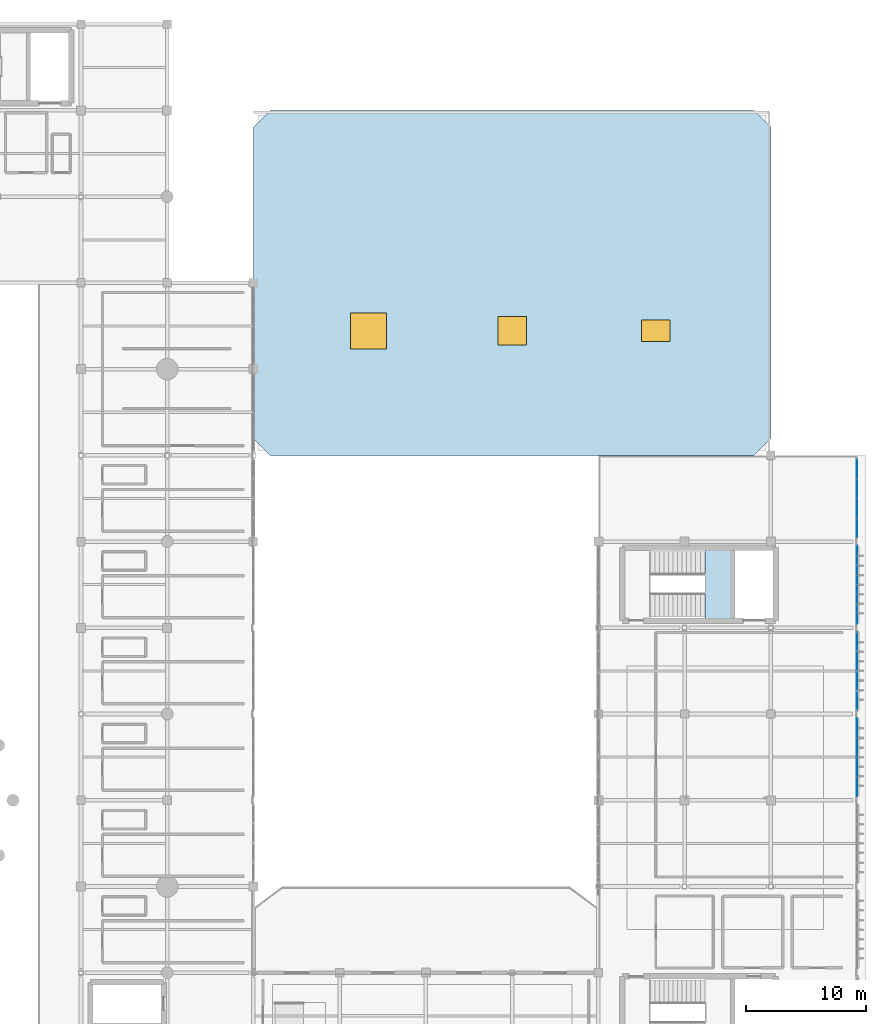
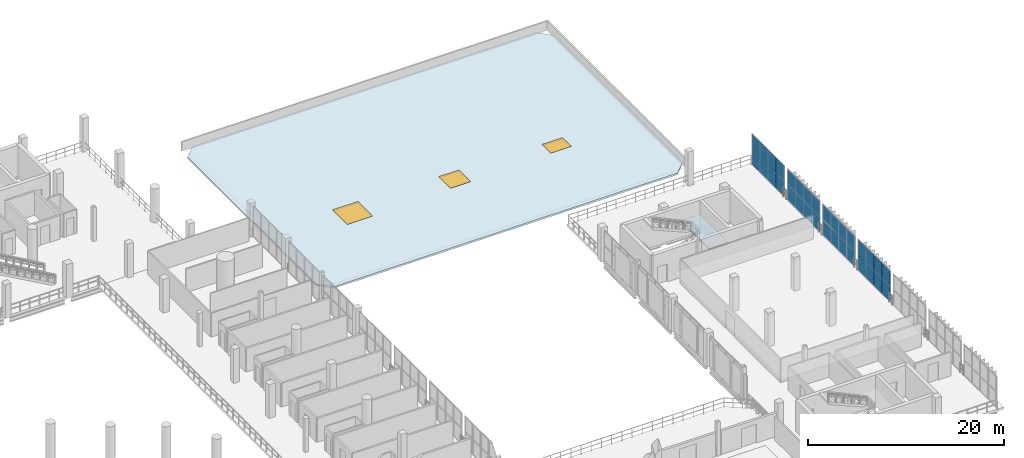
# One storey, part 97 of 130: 32 plates, 3 windows, 2 slabs, 3 openings, 5 elements without a shape of their own.
"""IFC4 building model written with IfcOpenShell, lengths in metres."""

import ifcopenshell
import ifcopenshell.guid

model = None  # the IFC model being written
_history = None  # IfcOwnerHistory: only IFC2X3 demands one
_inside = {}  # id of a spatial element -> (the spatial element, [elements in it])
_under = {}  # id of a project, library or spatial element -> (it, [spatial elements below it])
_declared = {}  # id of a project -> (the project, [libraries it declares])
_typed = {}  # id of a type object -> (the type object, [elements of that type])
_made_of = {}  # id of a material, layer set ... -> (it, [elements and type objects made of it])


def new_model(schema):
    """Start an empty IFC model of exactly this schema.

    Asked for "IFC4X3", IfcOpenShell would pick the latest addendum, in which some entities
    have other attributes; the version numbers below select the first issue.
    IFC2X3 requires an IfcOwnerHistory on every rooted entity: one is made here for all.
    """
    global model, _history
    if schema == "IFC4X3":
        model = ifcopenshell.file(schema_version=(4, 3, 0, 0))
    else:
        model = ifcopenshell.file(schema=schema)
    _inside.clear()
    _under.clear()
    _declared.clear()
    _typed.clear()
    _made_of.clear()
    _history = None
    if model.schema == "IFC2X3":
        org = make("IfcOrganization", Name="unknown")
        user = make(
            "IfcPersonAndOrganization",
            ThePerson=make("IfcPerson", FamilyName="unknown"),
            TheOrganization=org,
        )
        app = make(
            "IfcApplication",
            ApplicationDeveloper=org,
            Version="unknown",
            ApplicationFullName="unknown",
            ApplicationIdentifier="unknown",
        )
        _history = make(
            "IfcOwnerHistory",
            OwningUser=user,
            OwningApplication=app,
            ChangeAction="ADDED",
            CreationDate=0,
        )
    return model


def make(cls, **values):
    """One entity of the class cls with the attributes given. An attribute that is None is left unset."""
    return model.create_entity(
        cls, **{name: value for name, value in values.items() if value is not None}
    )


def rooted(cls, **values):
    """An entity with a GlobalId (a new one), such as an element, a storey or a relation."""
    return make(cls, GlobalId=ifcopenshell.guid.new(), OwnerHistory=_history, **values)


def si_unit(unit_type, name, prefix=None):
    """IfcSIUnit, for example si_unit("LENGTHUNIT", "METRE", prefix="MILLI")."""
    return make("IfcSIUnit", UnitType=unit_type, Prefix=prefix, Name=name)


def assignment(units):
    """IfcUnitAssignment: the units of a project."""
    return None if units is None else make("IfcUnitAssignment", Units=units)


def point(xyz):
    """IfcCartesianPoint."""
    return None if xyz is None else make("IfcCartesianPoint", Coordinates=xyz)


def direction(xyz):
    """IfcDirection."""
    return None if xyz is None else make("IfcDirection", DirectionRatios=xyz)


def frame(location, z_axis=None, x_axis=None):
    """IfcAxis2Placement3D, a coordinate frame: its origin and axes. An axis left out is left unset."""
    return make(
        "IfcAxis2Placement3D",
        Location=point(location),
        Axis=direction(z_axis),
        RefDirection=direction(x_axis),
    )


def frame_2d(location, x_axis=None):
    """IfcAxis2Placement2D, a coordinate frame in the plane: its origin and x axis."""
    return make(
        "IfcAxis2Placement2D", Location=point(location), RefDirection=direction(x_axis)
    )


def origin():
    """The frame at (0, 0, 0) with its axes left unset."""
    return frame((0.0, 0.0, 0.0))


def origin_2d():
    """The frame at (0, 0) in the plane with its x axis left unset."""
    return frame_2d((0.0, 0.0))


def place(relative_to, where):
    """IfcLocalPlacement: puts the frame where relative to a parent placement (None: the world)."""
    return make(
        "IfcLocalPlacement", PlacementRelTo=relative_to, RelativePlacement=where
    )


def context(
    kind, dimensions, precision=None, world=None, true_north=None, identifier=None
):
    """IfcGeometricRepresentationContext, for example the 3D "Model" context."""
    return make(
        "IfcGeometricRepresentationContext",
        ContextIdentifier=identifier,
        ContextType=kind,
        CoordinateSpaceDimension=dimensions,
        Precision=precision,
        WorldCoordinateSystem=world,
        TrueNorth=true_north,
    )


def subcontext(parent, identifier, kind, view, scale=None):
    """IfcGeometricRepresentationSubContext, for example "Body" below "Model"."""
    return make(
        "IfcGeometricRepresentationSubContext",
        ContextIdentifier=identifier,
        ContextType=kind,
        ParentContext=parent,
        TargetScale=scale,
        TargetView=view,
    )


def project(units=None, contexts=None):
    """IfcProject with its units and contexts."""
    return rooted(
        "IfcProject",
        Name="project",
        RepresentationContexts=contexts,
        UnitsInContext=assignment(units),
    )


def spatial(cls, under=None, at=None, **own):
    """A site, building, storey or space (cls), placed at a placement, below another one or the project."""
    s = rooted(cls, ObjectPlacement=at, **own)
    if under is not None:
        _under.setdefault(under.id(), (under, []))[1].append(s)
    return s


def polyline(points):
    """IfcPolyline through the points."""
    return make("IfcPolyline", Points=[point(p) for p in points])


def profile(cls, at=None, kind="AREA", **sizes):
    """A parametric profile (cls). Its sizes go by their IFC names, for example OverallWidth=200.0."""
    return make(cls, ProfileType=kind, Position=at, **sizes)


def rectangle(**sizes):
    """IfcRectangleProfileDef."""
    return profile("IfcRectangleProfileDef", **sizes)


def outline(outer, holes=None, kind="AREA"):
    """IfcArbitraryClosedProfileDef: a profile drawn as a closed curve; with holes, ...WithVoids."""
    if holes is None:
        return make("IfcArbitraryClosedProfileDef", ProfileType=kind, OuterCurve=outer)
    return make(
        "IfcArbitraryProfileDefWithVoids",
        ProfileType=kind,
        OuterCurve=outer,
        InnerCurves=holes,
    )


def extrude(swept, where, along, depth):
    """IfcExtrudedAreaSolid: the profile swept, set in the frame where, extruded along a direction by depth."""
    return make(
        "IfcExtrudedAreaSolid",
        SweptArea=swept,
        Position=where,
        ExtrudedDirection=direction(along),
        Depth=depth,
    )


def shape(context_of_items, identifier, shape_type, items):
    """IfcShapeRepresentation: the items that make up one representation, for example the "Body"."""
    return make(
        "IfcShapeRepresentation",
        ContextOfItems=context_of_items,
        RepresentationIdentifier=identifier,
        RepresentationType=shape_type,
        Items=items,
    )


def material(Name=None, Category=None):
    """IfcMaterial."""
    return make("IfcMaterial", Name=Name, Category=Category)


def layer(
    of_material, thickness, ventilated=None, Name=None, Category=None, Priority=None
):
    """IfcMaterialLayer: one layer of a wall or slab, of a material (None: an air gap)."""
    return make(
        "IfcMaterialLayer",
        Material=of_material,
        LayerThickness=thickness,
        IsVentilated=ventilated,
        Name=Name,
        Category=Category,
        Priority=Priority,
    )


def layer_set(layers, Name=None):
    """IfcMaterialLayerSet."""
    return make("IfcMaterialLayerSet", MaterialLayers=layers, LayerSetName=Name)


def made_of(thing, what):
    """Note that an element or type object is made of a material, layer set ...; save() writes the relation."""
    if what is not None:
        _made_of.setdefault(what.id(), (what, []))[1].append(thing)
    return thing


def type_object(cls, material=None, **own):
    """A type object (cls), such as IfcWallType, which elements share."""
    return made_of(rooted(cls, **own), material)


def element(
    cls,
    number,
    at=None,
    inside=None,
    cuts=None,
    type_object=None,
    material=None,
    context=None,
    identifier="Body",
    shape_type=None,
    held_by="IfcProductDefinitionShape",
    body=None,
    shapes=None,
    **own,
):
    """One element of the class cls, such as IfcWall. Its Tag is "e" and its number.

    at: its placement. inside: the storey or other place that contains it. cuts: it is an
    opening in that element (IfcRelVoidsElement). A single representation is given by context,
    identifier, shape_type and body (its items); several are given by shapes. held_by: the class
    of the entity that holds the representations. save() writes the other relations.
    """
    e = rooted(cls, Tag="e%d" % number, ObjectPlacement=at, **own)
    if body is not None:
        shapes = [shape(context, identifier, shape_type, body)]
    if shapes is not None:
        e.Representation = make(held_by, Representations=shapes)
    if inside is not None:
        _inside.setdefault(inside.id(), (inside, []))[1].append(e)
    if cuts is not None:
        rooted(
            "IfcRelVoidsElement", RelatingBuildingElement=cuts, RelatedOpeningElement=e
        )
    if type_object is not None:
        _typed.setdefault(type_object.id(), (type_object, []))[1].append(e)
    return made_of(e, material)


def fill(opening, filler):
    """IfcRelFillsElement: the door or window that sits in an opening."""
    return rooted(
        "IfcRelFillsElement",
        RelatingOpeningElement=opening,
        RelatedBuildingElement=filler,
    )


def aggregate(whole, parts):
    """IfcRelAggregates: a whole, such as a stair, and the parts it consists of."""
    return rooted("IfcRelAggregates", RelatingObject=whole, RelatedObjects=parts)


def save(model, path):
    """Write the relations noted so far, then the file.

    IfcRelAggregates (storeys below a building ...), IfcRelContainedInSpatialStructure (elements
    in a storey), IfcRelDefinesByType, IfcRelAssociatesMaterial and IfcRelDeclares: one each for
    every whole, place, type object, material and project.
    """
    for whole, parts in _under.values():
        aggregate(whole, parts)
    for where, things in _inside.values():
        rooted(
            "IfcRelContainedInSpatialStructure",
            RelatedElements=things,
            RelatingStructure=where,
        )
    for kind, things in _typed.values():
        rooted("IfcRelDefinesByType", RelatedObjects=things, RelatingType=kind)
    for what, things in _made_of.values():
        rooted("IfcRelAssociatesMaterial", RelatedObjects=things, RelatingMaterial=what)
    for by, libraries in _declared.values():
        rooted("IfcRelDeclares", RelatingContext=by, RelatedDefinitions=libraries)
    model.write(path)


model = new_model("IFC4")

# Units and contexts
model_context = context("Model", 3, precision=1e-05, world=origin(), true_north=direction((0.0, 1.0)))
body_context = subcontext(model_context, "Body", "Model", "MODEL_VIEW")
ifc_project = project(units=[si_unit("LENGTHUNIT", "METRE"), si_unit("AREAUNIT", "SQUARE_METRE"), si_unit("VOLUMEUNIT", "CUBIC_METRE"), si_unit("PLANEANGLEUNIT", "RADIAN"), si_unit("MASSUNIT", "GRAM", prefix="KILO")], contexts=[model_context])

# Site, building, storey
site_placement = place(None, origin())
site = spatial("IfcSite", under=ifc_project, at=site_placement, CompositionType="ELEMENT")
building_placement = place(site_placement, origin())
building = spatial("IfcBuilding", under=site, at=building_placement, Name="Qandorah Velis Arena", CompositionType="ELEMENT")
storey_placement = place(building_placement, frame((0.0, 0.0, 9.60009765625)))
storey = spatial("IfcBuildingStorey", under=building, at=storey_placement, Name="L02", CompositionType="ELEMENT", Elevation=9.60009765625)

# Curtain wall, plates
ifc_material_1 = material(Name="Solar-control low-E double glazing", Category="glass")
curtain_wall_type_1 = type_object("IfcCurtainWallType", Name="ARC-CW-SYS05", PredefinedType="USERDEFINED", material=ifc_material_1)
curtain_wall_1_placement = place(storey_placement, origin())
curtain_wall_1 = element("IfcCurtainWall", 1, at=curtain_wall_1_placement, inside=storey, type_object=curtain_wall_type_1, Name="Unitised curtain wall L02-149", ObjectType="UNITISED CURTAIN WALL", PredefinedType="USERDEFINED")
ifc_layer_1 = layer(ifc_material_1, 0.02392578125)
ifc_layer_set_1 = layer_set([ifc_layer_1], Name="Solar-control low-E double glazing")
plate_type_1 = type_object("IfcPlateType", Name="ARC-CWP-GLZ24", PredefinedType="CURTAIN_PANEL", material=ifc_layer_set_1)
plate_1_placement = place(storey_placement, frame((172.800048828125, 73.143798828125, 0.06494140625), z_axis=(0.0, 0.0, 1.0), x_axis=(0.0, 1.0, 0.0)))
plate_1 = element("IfcPlate", 2, at=plate_1_placement, type_object=plate_type_1, Name="CW05 panel 1.1", PredefinedType="CURTAIN_PANEL", context=body_context, shape_type="SweptSolid", body=[
    extrude(rectangle(XDim=1.5576171875, YDim=0.02392578125, at=origin_2d()), origin(), (0.0, 0.0, 1.0), 1.847412109375),
])
plate_2_placement = place(storey_placement, frame((172.800048828125, 73.143798828125, 1.96728515625), z_axis=(0.0, 0.0, 1.0), x_axis=(0.0, 1.0, 0.0)))
plate_2 = element("IfcPlate", 3, at=plate_2_placement, type_object=plate_type_1, Name="CW05 panel 1.2", PredefinedType="CURTAIN_PANEL", context=body_context, shape_type="SweptSolid", body=[
    extrude(rectangle(XDim=1.5576171875, YDim=0.02392578125, at=origin_2d()), origin(), (0.0, 0.0, 1.0), 1.847412109375),
])
plate_3_placement = place(storey_placement, frame((172.800048828125, 74.77490234375, 0.06494140625), z_axis=(0.0, 0.0, 1.0), x_axis=(0.0, 1.0, 0.0)))
plate_3 = element("IfcPlate", 4, at=plate_3_placement, type_object=plate_type_1, Name="CW05 panel 2.1", PredefinedType="CURTAIN_PANEL", context=body_context, shape_type="SweptSolid", body=[
    extrude(rectangle(XDim=1.594970703125, YDim=0.02392578125, at=origin_2d()), origin(), (0.0, 0.0, 1.0), 1.847412109375),
])
plate_4_placement = place(storey_placement, frame((172.800048828125, 74.77490234375, 1.96728515625), z_axis=(0.0, 0.0, 1.0), x_axis=(0.0, 1.0, 0.0)))
plate_4 = element("IfcPlate", 5, at=plate_4_placement, type_object=plate_type_1, Name="CW05 panel 2.2", PredefinedType="CURTAIN_PANEL", context=body_context, shape_type="SweptSolid", body=[
    extrude(rectangle(XDim=1.594970703125, YDim=0.02392578125, at=origin_2d()), origin(), (0.0, 0.0, 1.0), 1.847412109375),
])
plate_5_placement = place(storey_placement, frame((172.800048828125, 76.425048828125, 0.06494140625), z_axis=(0.0, 0.0, 1.0), x_axis=(0.0, 1.0, 0.0)))
plate_5 = element("IfcPlate", 6, at=plate_5_placement, type_object=plate_type_1, Name="CW05 panel 3.1", PredefinedType="CURTAIN_PANEL", context=body_context, shape_type="SweptSolid", body=[
    extrude(rectangle(XDim=1.594970703125, YDim=0.02392578125, at=origin_2d()), origin(), (0.0, 0.0, 1.0), 1.847412109375),
])
plate_6_placement = place(storey_placement, frame((172.800048828125, 76.425048828125, 1.96728515625), z_axis=(0.0, 0.0, 1.0), x_axis=(0.0, 1.0, 0.0)))
plate_6 = element("IfcPlate", 7, at=plate_6_placement, type_object=plate_type_1, Name="CW05 panel 3.2", PredefinedType="CURTAIN_PANEL", context=body_context, shape_type="SweptSolid", body=[
    extrude(rectangle(XDim=1.594970703125, YDim=0.02392578125, at=origin_2d()), origin(), (0.0, 0.0, 1.0), 1.847412109375),
])
plate_7_placement = place(storey_placement, frame((172.800048828125, 78.05615234375, 0.06494140625), z_axis=(0.0, 0.0, 1.0), x_axis=(0.0, 1.0, 0.0)))
plate_7 = element("IfcPlate", 8, at=plate_7_placement, type_object=plate_type_1, Name="CW05 panel 4.1", PredefinedType="CURTAIN_PANEL", context=body_context, shape_type="SweptSolid", body=[
    extrude(rectangle(XDim=1.5576171875, YDim=0.02392578125, at=origin_2d()), origin(), (0.0, 0.0, 1.0), 1.847412109375),
])
plate_8_placement = place(storey_placement, frame((172.800048828125, 78.05615234375, 1.96728515625), z_axis=(0.0, 0.0, 1.0), x_axis=(0.0, 1.0, 0.0)))
plate_8 = element("IfcPlate", 9, at=plate_8_placement, type_object=plate_type_1, Name="CW05 panel 4.2", PredefinedType="CURTAIN_PANEL", context=body_context, shape_type="SweptSolid", body=[
    extrude(rectangle(XDim=1.5576171875, YDim=0.02392578125, at=origin_2d()), origin(), (0.0, 0.0, 1.0), 1.847412109375),
])
aggregate(curtain_wall_1, [plate_1, plate_2, plate_3, plate_4, plate_5, plate_6, plate_7, plate_8])

curtain_wall_type_2 = type_object("IfcCurtainWallType", Name="ARC-CW-SYS04", PredefinedType="USERDEFINED", material=ifc_material_1)
curtain_wall_2_placement = place(storey_placement, origin())
curtain_wall_2 = element("IfcCurtainWall", 10, at=curtain_wall_2_placement, inside=storey, type_object=curtain_wall_type_2, Name="Unitised curtain wall L02-148", ObjectType="UNITISED CURTAIN WALL", PredefinedType="USERDEFINED")
ifc_layer_2 = layer(ifc_material_1, 0.028076171875)
ifc_layer_set_2 = layer_set([ifc_layer_2], Name="Solar-control low-E double glazing")
plate_type_2 = type_object("IfcPlateType", Name="ARC-CWP-GLZ28", PredefinedType="CURTAIN_PANEL", material=ifc_layer_set_2)
plate_9_placement = place(storey_placement, frame((172.800048828125, 65.938720703125, 0.044921875), z_axis=(0.0, 0.0, 1.0), x_axis=(0.0, 1.0, 0.0)))
plate_9 = element("IfcPlate", 11, at=plate_9_placement, type_object=plate_type_2, Name="CW04 panel 1.1", PredefinedType="CURTAIN_PANEL", context=body_context, shape_type="SweptSolid", body=[
    extrude(rectangle(XDim=1.58740234375, YDim=0.028076171875, at=origin_2d()), origin(), (0.0, 0.0, 1.0), 1.87744140625),
])
plate_10_placement = place(storey_placement, frame((172.800048828125, 65.938720703125, 1.95751953125), z_axis=(0.0, 0.0, 1.0), x_axis=(0.0, 1.0, 0.0)))
plate_10 = element("IfcPlate", 12, at=plate_10_placement, type_object=plate_type_2, Name="CW04 panel 1.2", PredefinedType="CURTAIN_PANEL", context=body_context, shape_type="SweptSolid", body=[
    extrude(rectangle(XDim=1.58740234375, YDim=0.028076171875, at=origin_2d()), origin(), (0.0, 0.0, 1.0), 1.87744140625),
])
plate_11_placement = place(storey_placement, frame((172.800048828125, 67.574951171875, 0.044921875), z_axis=(0.0, 0.0, 1.0), x_axis=(0.0, 1.0, 0.0)))
plate_11 = element("IfcPlate", 13, at=plate_11_placement, type_object=plate_type_2, Name="CW04 panel 2.1", PredefinedType="CURTAIN_PANEL", context=body_context, shape_type="SweptSolid", body=[
    extrude(rectangle(XDim=1.614990234375, YDim=0.028076171875, at=origin_2d()), origin(), (0.0, 0.0, 1.0), 1.87744140625),
])
plate_12_placement = place(storey_placement, frame((172.800048828125, 67.574951171875, 1.95751953125), z_axis=(0.0, 0.0, 1.0), x_axis=(0.0, 1.0, 0.0)))
plate_12 = element("IfcPlate", 14, at=plate_12_placement, type_object=plate_type_2, Name="CW04 panel 2.2", PredefinedType="CURTAIN_PANEL", context=body_context, shape_type="SweptSolid", body=[
    extrude(rectangle(XDim=1.614990234375, YDim=0.028076171875, at=origin_2d()), origin(), (0.0, 0.0, 1.0), 1.87744140625),
])
plate_13_placement = place(storey_placement, frame((172.800048828125, 69.22509765625, 0.044921875), z_axis=(0.0, 0.0, 1.0), x_axis=(0.0, 1.0, 0.0)))
plate_13 = element("IfcPlate", 15, at=plate_13_placement, type_object=plate_type_2, Name="CW04 panel 3.1", PredefinedType="CURTAIN_PANEL", context=body_context, shape_type="SweptSolid", body=[
    extrude(rectangle(XDim=1.614990234375, YDim=0.028076171875, at=origin_2d()), origin(), (0.0, 0.0, 1.0), 1.87744140625),
])
plate_14_placement = place(storey_placement, frame((172.800048828125, 69.22509765625, 1.95751953125), z_axis=(0.0, 0.0, 1.0), x_axis=(0.0, 1.0, 0.0)))
plate_14 = element("IfcPlate", 16, at=plate_14_placement, type_object=plate_type_2, Name="CW04 panel 3.2", PredefinedType="CURTAIN_PANEL", context=body_context, shape_type="SweptSolid", body=[
    extrude(rectangle(XDim=1.614990234375, YDim=0.028076171875, at=origin_2d()), origin(), (0.0, 0.0, 1.0), 1.87744140625),
])
plate_15_placement = place(storey_placement, frame((172.800048828125, 70.861328125, 0.044921875), z_axis=(0.0, 0.0, 1.0), x_axis=(0.0, 1.0, 0.0)))
plate_15 = element("IfcPlate", 17, at=plate_15_placement, type_object=plate_type_2, Name="CW04 panel 4.1", PredefinedType="CURTAIN_PANEL", context=body_context, shape_type="SweptSolid", body=[
    extrude(rectangle(XDim=1.58740234375, YDim=0.028076171875, at=origin_2d()), origin(), (0.0, 0.0, 1.0), 1.87744140625),
])
plate_16_placement = place(storey_placement, frame((172.800048828125, 70.861328125, 1.95751953125), z_axis=(0.0, 0.0, 1.0), x_axis=(0.0, 1.0, 0.0)))
plate_16 = element("IfcPlate", 18, at=plate_16_placement, type_object=plate_type_2, Name="CW04 panel 4.2", PredefinedType="CURTAIN_PANEL", context=body_context, shape_type="SweptSolid", body=[
    extrude(rectangle(XDim=1.58740234375, YDim=0.028076171875, at=origin_2d()), origin(), (0.0, 0.0, 1.0), 1.87744140625),
])
aggregate(curtain_wall_2, [plate_9, plate_10, plate_11, plate_12, plate_13, plate_14, plate_15, plate_16])

curtain_wall_type_3 = type_object("IfcCurtainWallType", Name="ARC-CW-SYS07", PredefinedType="USERDEFINED", material=ifc_material_1)
curtain_wall_3_placement = place(storey_placement, origin())
curtain_wall_3 = element("IfcCurtainWall", 19, at=curtain_wall_3_placement, inside=storey, type_object=curtain_wall_type_3, Name="Unitised curtain wall L02-151", ObjectType="UNITISED CURTAIN WALL", PredefinedType="USERDEFINED")
ifc_layer_3 = layer(ifc_material_1, 0.035888671875)
ifc_layer_set_3 = layer_set([ifc_layer_3], Name="Solar-control low-E double glazing")
plate_type_3 = type_object("IfcPlateType", Name="ARC-CWP-GLZ36", PredefinedType="CURTAIN_PANEL", material=ifc_layer_set_3)
plate_17_placement = place(storey_placement, frame((172.800048828125, 87.5400390625, 0.0498046875), z_axis=(0.0, 0.0, 1.0), x_axis=(0.0, 1.0, 0.0)))
plate_17 = element("IfcPlate", 20, at=plate_17_placement, type_object=plate_type_3, Name="CW07 panel 1.1", PredefinedType="CURTAIN_PANEL", context=body_context, shape_type="SweptSolid", body=[
    extrude(rectangle(XDim=1.580078125, YDim=0.035888671875, at=origin_2d()), origin(), (0.0, 0.0, 1.0), 1.8701171875),
])
plate_18_placement = place(storey_placement, frame((172.800048828125, 87.5400390625, 1.9599609375), z_axis=(0.0, 0.0, 1.0), x_axis=(0.0, 1.0, 0.0)))
plate_18 = element("IfcPlate", 21, at=plate_18_placement, type_object=plate_type_3, Name="CW07 panel 1.2", PredefinedType="CURTAIN_PANEL", context=body_context, shape_type="SweptSolid", body=[
    extrude(rectangle(XDim=1.580078125, YDim=0.035888671875, at=origin_2d()), origin(), (0.0, 0.0, 1.0), 1.8701171875),
])
plate_19_placement = place(storey_placement, frame((172.800048828125, 89.175048828125, 0.0498046875), z_axis=(0.0, 0.0, 1.0), x_axis=(0.0, 1.0, 0.0)))
plate_19 = element("IfcPlate", 22, at=plate_19_placement, type_object=plate_type_3, Name="CW07 panel 2.1", PredefinedType="CURTAIN_PANEL", context=body_context, shape_type="SweptSolid", body=[
    extrude(rectangle(XDim=1.610107421875, YDim=0.035888671875, at=origin_2d()), origin(), (0.0, 0.0, 1.0), 1.8701171875),
])
plate_20_placement = place(storey_placement, frame((172.800048828125, 89.175048828125, 1.9599609375), z_axis=(0.0, 0.0, 1.0), x_axis=(0.0, 1.0, 0.0)))
plate_20 = element("IfcPlate", 23, at=plate_20_placement, type_object=plate_type_3, Name="CW07 panel 2.2", PredefinedType="CURTAIN_PANEL", context=body_context, shape_type="SweptSolid", body=[
    extrude(rectangle(XDim=1.610107421875, YDim=0.035888671875, at=origin_2d()), origin(), (0.0, 0.0, 1.0), 1.8701171875),
])
plate_21_placement = place(storey_placement, frame((172.800048828125, 90.824951171875, 0.0498046875), z_axis=(0.0, 0.0, 1.0), x_axis=(0.0, 1.0, 0.0)))
plate_21 = element("IfcPlate", 24, at=plate_21_placement, type_object=plate_type_3, Name="CW07 panel 3.1", PredefinedType="CURTAIN_PANEL", context=body_context, shape_type="SweptSolid", body=[
    extrude(rectangle(XDim=1.610107421875, YDim=0.035888671875, at=origin_2d()), origin(), (0.0, 0.0, 1.0), 1.8701171875),
])
plate_22_placement = place(storey_placement, frame((172.800048828125, 90.824951171875, 1.9599609375), z_axis=(0.0, 0.0, 1.0), x_axis=(0.0, 1.0, 0.0)))
plate_22 = element("IfcPlate", 25, at=plate_22_placement, type_object=plate_type_3, Name="CW07 panel 3.2", PredefinedType="CURTAIN_PANEL", context=body_context, shape_type="SweptSolid", body=[
    extrude(rectangle(XDim=1.610107421875, YDim=0.035888671875, at=origin_2d()), origin(), (0.0, 0.0, 1.0), 1.8701171875),
])
plate_23_placement = place(storey_placement, frame((172.800048828125, 92.4599609375, 0.0498046875), z_axis=(0.0, 0.0, 1.0), x_axis=(0.0, 1.0, 0.0)))
plate_23 = element("IfcPlate", 26, at=plate_23_placement, type_object=plate_type_3, Name="CW07 panel 4.1", PredefinedType="CURTAIN_PANEL", context=body_context, shape_type="SweptSolid", body=[
    extrude(rectangle(XDim=1.580078125, YDim=0.035888671875, at=origin_2d()), origin(), (0.0, 0.0, 1.0), 1.8701171875),
])
plate_24_placement = place(storey_placement, frame((172.800048828125, 92.4599609375, 1.9599609375), z_axis=(0.0, 0.0, 1.0), x_axis=(0.0, 1.0, 0.0)))
plate_24 = element("IfcPlate", 27, at=plate_24_placement, type_object=plate_type_3, Name="CW07 panel 4.2", PredefinedType="CURTAIN_PANEL", context=body_context, shape_type="SweptSolid", body=[
    extrude(rectangle(XDim=1.580078125, YDim=0.035888671875, at=origin_2d()), origin(), (0.0, 0.0, 1.0), 1.8701171875),
])
aggregate(curtain_wall_3, [plate_17, plate_18, plate_19, plate_20, plate_21, plate_22, plate_23, plate_24])

curtain_wall_type_4 = type_object("IfcCurtainWallType", Name="ARC-CW-SYS06", PredefinedType="USERDEFINED", material=ifc_material_1)
curtain_wall_4_placement = place(storey_placement, origin())
curtain_wall_4 = element("IfcCurtainWall", 28, at=curtain_wall_4_placement, inside=storey, type_object=curtain_wall_type_4, Name="Unitised curtain wall L02-150", ObjectType="UNITISED CURTAIN WALL", PredefinedType="USERDEFINED")
ifc_layer_4 = layer(ifc_material_1, 0.0439453125)
ifc_layer_set_4 = layer_set([ifc_layer_4], Name="Solar-control low-E double glazing")
plate_type_4 = type_object("IfcPlateType", Name="ARC-CWP-SPN44", PredefinedType="CURTAIN_PANEL", material=ifc_layer_set_4)
plate_25_placement = place(storey_placement, frame((172.800048828125, 80.34130859375, 0.0546875), z_axis=(0.0, 0.0, 1.0), x_axis=(0.0, 1.0, 0.0)))
plate_25 = element("IfcPlate", 29, at=plate_25_placement, type_object=plate_type_4, Name="CW06 panel 1.1", PredefinedType="CURTAIN_PANEL", context=body_context, shape_type="SweptSolid", body=[
    extrude(rectangle(XDim=1.572509765625, YDim=0.0439453125, at=origin_2d()), origin(), (0.0, 0.0, 1.0), 1.862548828125),
])
plate_26_placement = place(storey_placement, frame((172.800048828125, 80.34130859375, 1.96240234375), z_axis=(0.0, 0.0, 1.0), x_axis=(0.0, 1.0, 0.0)))
plate_26 = element("IfcPlate", 30, at=plate_26_placement, type_object=plate_type_4, Name="CW06 panel 1.2", PredefinedType="CURTAIN_PANEL", context=body_context, shape_type="SweptSolid", body=[
    extrude(rectangle(XDim=1.572509765625, YDim=0.0439453125, at=origin_2d()), origin(), (0.0, 0.0, 1.0), 1.862548828125),
])
plate_27_placement = place(storey_placement, frame((172.800048828125, 81.97509765625, 0.0546875), z_axis=(0.0, 0.0, 1.0), x_axis=(0.0, 1.0, 0.0)))
plate_27 = element("IfcPlate", 31, at=plate_27_placement, type_object=plate_type_4, Name="CW06 panel 2.1", PredefinedType="CURTAIN_PANEL", context=body_context, shape_type="SweptSolid", body=[
    extrude(rectangle(XDim=1.60498046875, YDim=0.0439453125, at=origin_2d()), origin(), (0.0, 0.0, 1.0), 1.862548828125),
])
plate_28_placement = place(storey_placement, frame((172.800048828125, 81.97509765625, 1.96240234375), z_axis=(0.0, 0.0, 1.0), x_axis=(0.0, 1.0, 0.0)))
plate_28 = element("IfcPlate", 32, at=plate_28_placement, type_object=plate_type_4, Name="CW06 panel 2.2", PredefinedType="CURTAIN_PANEL", context=body_context, shape_type="SweptSolid", body=[
    extrude(rectangle(XDim=1.60498046875, YDim=0.0439453125, at=origin_2d()), origin(), (0.0, 0.0, 1.0), 1.862548828125),
])
plate_29_placement = place(storey_placement, frame((172.800048828125, 83.625, 0.0546875), z_axis=(0.0, 0.0, 1.0), x_axis=(0.0, 1.0, 0.0)))
plate_29 = element("IfcPlate", 33, at=plate_29_placement, type_object=plate_type_4, Name="CW06 panel 3.1", PredefinedType="CURTAIN_PANEL", context=body_context, shape_type="SweptSolid", body=[
    extrude(rectangle(XDim=1.60498046875, YDim=0.0439453125, at=origin_2d()), origin(), (0.0, 0.0, 1.0), 1.862548828125),
])
plate_30_placement = place(storey_placement, frame((172.800048828125, 83.625, 1.96240234375), z_axis=(0.0, 0.0, 1.0), x_axis=(0.0, 1.0, 0.0)))
plate_30 = element("IfcPlate", 34, at=plate_30_placement, type_object=plate_type_4, Name="CW06 panel 3.2", PredefinedType="CURTAIN_PANEL", context=body_context, shape_type="SweptSolid", body=[
    extrude(rectangle(XDim=1.60498046875, YDim=0.0439453125, at=origin_2d()), origin(), (0.0, 0.0, 1.0), 1.862548828125),
])
plate_31_placement = place(storey_placement, frame((172.800048828125, 85.2587890625, 0.0546875), z_axis=(0.0, 0.0, 1.0), x_axis=(0.0, 1.0, 0.0)))
plate_31 = element("IfcPlate", 35, at=plate_31_placement, type_object=plate_type_4, Name="CW06 panel 4.1", PredefinedType="CURTAIN_PANEL", context=body_context, shape_type="SweptSolid", body=[
    extrude(rectangle(XDim=1.572509765625, YDim=0.0439453125, at=origin_2d()), origin(), (0.0, 0.0, 1.0), 1.862548828125),
])
plate_32_placement = place(storey_placement, frame((172.800048828125, 85.2587890625, 1.96240234375), z_axis=(0.0, 0.0, 1.0), x_axis=(0.0, 1.0, 0.0)))
plate_32 = element("IfcPlate", 36, at=plate_32_placement, type_object=plate_type_4, Name="CW06 panel 4.2", PredefinedType="CURTAIN_PANEL", context=body_context, shape_type="SweptSolid", body=[
    extrude(rectangle(XDim=1.572509765625, YDim=0.0439453125, at=origin_2d()), origin(), (0.0, 0.0, 1.0), 1.862548828125),
])
aggregate(curtain_wall_4, [plate_25, plate_26, plate_27, plate_28, plate_29, plate_30, plate_31, plate_32])

# Stair, slab
ifc_material_2 = material(Name="Concrete C40/50", Category="concrete")
stair_type = type_object("IfcStairType", Name="ARC-ST-CORE42", PredefinedType="HALF_TURN_STAIR", material=ifc_material_2)
stair_placement = place(storey_placement, origin())
stair = element("IfcStair", 37, at=stair_placement, inside=storey, type_object=stair_type, Name="Protected exit stair ST8 (L02)", PredefinedType="HALF_TURN_STAIR")
ifc_layer_5 = layer(ifc_material_2, 0.219970703125)
ifc_layer_set_5 = layer_set([ifc_layer_5], Name="Concrete C40/50")
slab_type_1 = type_object("IfcSlabType", Name="STR-SLB-LND220", PredefinedType="LANDING", material=ifc_layer_set_5)
slab_1_placement = place(storey_placement, frame((0.0, 0.0, 1.8798828125)))
slab_1 = element("IfcSlab", 38, at=slab_1_placement, type_object=slab_type_1, Name="ST8 landing 1", PredefinedType="LANDING", context=body_context, shape_type="SweptSolid", body=[
    extrude(outline(polyline([(160.0859375, 79.949951171875), (162.3359375, 79.949951171875), (162.3359375, 85.75), (160.0859375, 85.75), (160.0859375, 79.949951171875)])), origin(), (0.0, 0.0, 1.0), 0.219970703125),
])
aggregate(stair, [slab_1])

# Slab, openings, windows
ifc_layer_6 = layer(ifc_material_2, 0.219970703125)
ifc_layer_set_6 = layer_set([ifc_layer_6], Name="Concrete C40/50")
slab_type_2 = type_object("IfcSlabType", Name="STR-SLB-RF220", PredefinedType="ROOF", material=ifc_layer_set_6)
slab_2_placement = place(storey_placement, frame((0.0, 0.0, 1.579833984375)))
slab_2 = element("IfcSlab", 39, at=slab_2_placement, inside=storey, type_object=slab_type_2, Name="Roof slab SLB-ROOF-PRACTICE", PredefinedType="ROOF", context=body_context, shape_type="SweptSolid", body=[
    extrude(outline(polyline([(123.800048828125, 93.60009765625), (164.199951171875, 93.60009765625), (165.60009765625, 95.0), (165.60009765625, 121.0), (164.199951171875, 122.39990234375), (123.800048828125, 122.39990234375), (122.39990234375, 121.0), (122.39990234375, 95.0), (123.800048828125, 93.60009765625)])), origin(), (0.0, 0.0, 1.0), 0.219970703125),
])
opening_1_placement = place(slab_2_placement, frame((132.0, 104.0, -0.010009765625)))
opening_1 = element("IfcOpeningElement", 40, at=opening_1_placement, cuts=slab_2, Name="Opening SK1", PredefinedType="OPENING", context=body_context, shape_type="SweptSolid", body=[
    extrude(rectangle(XDim=3.0, YDim=3.0, at=origin_2d()), origin(), (0.0, 0.0, 1.0), 0.239990234375),
])
opening_2_placement = place(slab_2_placement, frame((144.0, 104.0, -0.010009765625)))
opening_2 = element("IfcOpeningElement", 41, at=opening_2_placement, cuts=slab_2, Name="Opening SK2", PredefinedType="OPENING", context=body_context, shape_type="SweptSolid", body=[
    extrude(rectangle(XDim=2.39990234375, YDim=2.39990234375, at=origin_2d()), origin(), (0.0, 0.0, 1.0), 0.239990234375),
])
opening_3_placement = place(slab_2_placement, frame((156.0, 104.0, -0.010009765625)))
opening_3 = element("IfcOpeningElement", 42, at=opening_3_placement, cuts=slab_2, Name="Opening SK3", PredefinedType="OPENING", context=body_context, shape_type="SweptSolid", body=[
    extrude(rectangle(XDim=2.39990234375, YDim=1.800048828125, at=origin_2d()), origin(), (0.0, 0.0, 1.0), 0.239990234375),
])
window_type_1 = type_object("IfcWindowType", Name="ARC-SKY-2400X1800", PartitioningType="SINGLE_PANEL", PredefinedType="SKYLIGHT", material=ifc_material_1)
window_1_placement = place(opening_3_placement, frame((0.0, 0.0, 0.179931640625)))
window_1 = element("IfcWindow", 43, at=window_1_placement, inside=storey, type_object=window_type_1, Name="Roof skylight hatch SK-03", OverallHeight=1.800048828125, OverallWidth=2.39990234375, PartitioningType="SINGLE_PANEL", PredefinedType="SKYLIGHT", context=body_context, shape_type="SweptSolid", body=[
    extrude(rectangle(XDim=2.39990234375, YDim=1.800048828125, at=origin_2d()), origin(), (0.0, 0.0, 1.0), 0.050048828125),
])
fill(opening_3, window_1)
window_type_2 = type_object("IfcWindowType", Name="ARC-SKY-2400X2400", PartitioningType="SINGLE_PANEL", PredefinedType="SKYLIGHT", material=ifc_material_1)
window_2_placement = place(opening_2_placement, frame((0.0, 0.0, 0.179931640625)))
window_2 = element("IfcWindow", 44, at=window_2_placement, inside=storey, type_object=window_type_2, Name="Roof skylight hatch SK-02", OverallHeight=2.39990234375, OverallWidth=2.39990234375, PartitioningType="SINGLE_PANEL", PredefinedType="SKYLIGHT", context=body_context, shape_type="SweptSolid", body=[
    extrude(rectangle(XDim=2.39990234375, YDim=2.39990234375, at=origin_2d()), origin(), (0.0, 0.0, 1.0), 0.050048828125),
])
fill(opening_2, window_2)
window_type_3 = type_object("IfcWindowType", Name="ARC-SKY-3000X3000", PartitioningType="SINGLE_PANEL", PredefinedType="SKYLIGHT", material=ifc_material_1)
window_3_placement = place(opening_1_placement, frame((0.0, 0.0, 0.179931640625)))
window_3 = element("IfcWindow", 45, at=window_3_placement, inside=storey, type_object=window_type_3, Name="Roof skylight hatch SK-01", OverallHeight=3.0, OverallWidth=3.0, PartitioningType="SINGLE_PANEL", PredefinedType="SKYLIGHT", context=body_context, shape_type="SweptSolid", body=[
    extrude(rectangle(XDim=3.0, YDim=3.0, at=origin_2d()), origin(), (0.0, 0.0, 1.0), 0.050048828125),
])
fill(opening_1, window_3)

save(model, "model.ifc")
